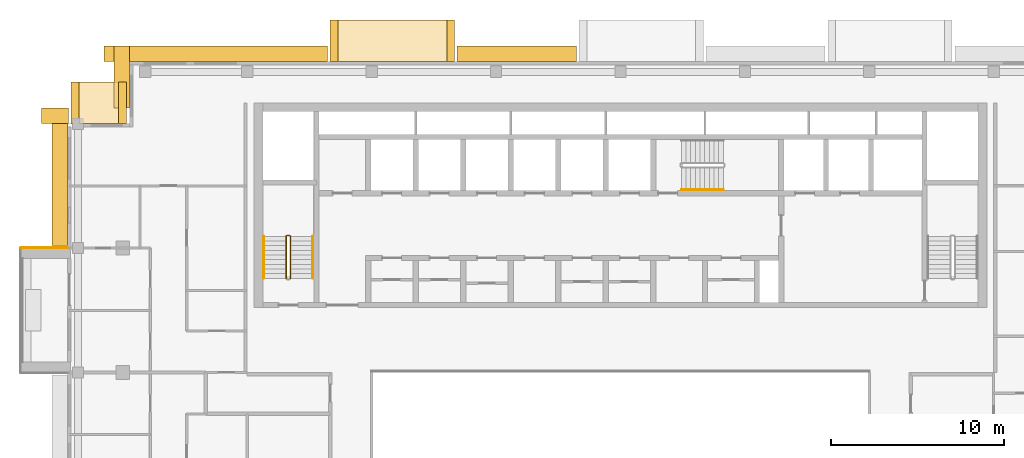
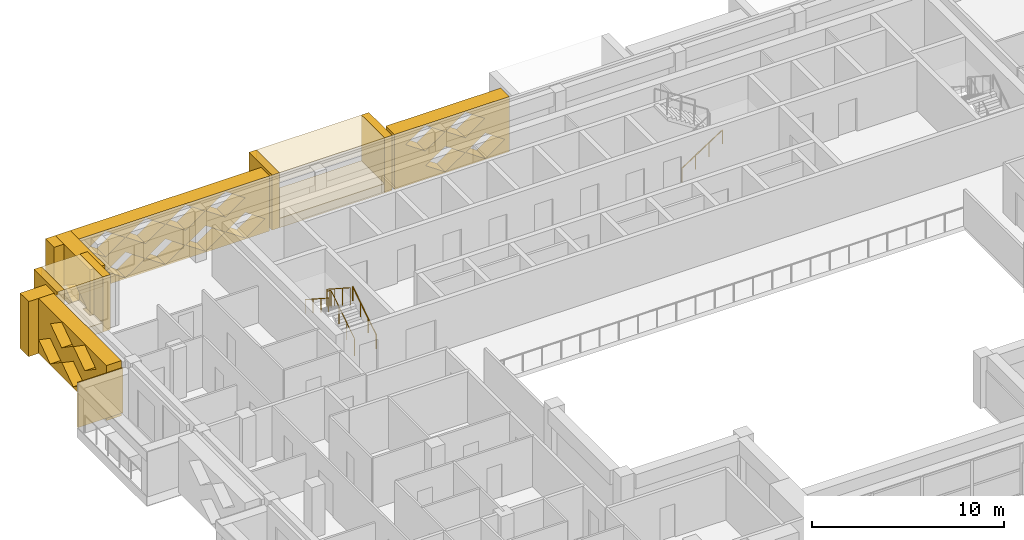
# One storey, part 17 of 19: 14 coverings, 4 railings.
"""IFC4 building model written with IfcOpenShell, lengths in metres."""

from ifc_helpers import new_model, si_unit, direction, frame, origin, origin_2d, place, context, subcontext, project, spatial, polyline, circle, outline, extrude, material, layer, layer_set, type_object, element, save


model = new_model("IFC4")

# Units and contexts
model_context = context("Model", 3, precision=1e-05, world=origin(), true_north=direction((0.0, 1.0)))
body_context = subcontext(model_context, "Body", "Model", "MODEL_VIEW")
ifc_project = project(units=[si_unit("LENGTHUNIT", "METRE"), si_unit("AREAUNIT", "SQUARE_METRE"), si_unit("VOLUMEUNIT", "CUBIC_METRE"), si_unit("PLANEANGLEUNIT", "RADIAN"), si_unit("MASSUNIT", "GRAM", prefix="KILO")], contexts=[model_context])

# Site, building, storey
site_placement = place(None, origin())
site = spatial("IfcSite", under=ifc_project, at=site_placement, CompositionType="ELEMENT")
building_placement = place(site_placement, origin())
building = spatial("IfcBuilding", under=site, at=building_placement, Name="Saffron Iwan Residences", CompositionType="ELEMENT")
storey_placement = place(building_placement, frame((0.0, 0.0, 246.5)))
storey = spatial("IfcBuildingStorey", under=building, at=storey_placement, Name="L66", CompositionType="ELEMENT", Elevation=246.5)

# Coverings
ifc_material_1 = material(Name="Precast concrete C40/50 white painted", Category="concrete")
ifc_layer = layer(ifc_material_1, 0.050048828125)
ifc_layer_set = layer_set([ifc_layer], Name="Precast concrete C40/50 white painted")
covering_type_1 = type_object("IfcCoveringType", Name="FRAME SKIN PRECAST WHITE 50", PredefinedType="CLADDING", material=ifc_layer_set)
covering_1_placement = place(storey_placement, origin())
element("IfcCovering", 1, at=covering_1_placement, inside=storey, type_object=covering_type_1, Name="Frame skin fin L66 F8-0a", PredefinedType="CLADDING", context=body_context, shape_type="SweptSolid", body=[
    extrude(outline(polyline([(15.699951171875, 69.64990234375), (15.699951171875, 69.60009765625), (18.39990234375, 69.60009765625), (18.39990234375, 69.64990234375), (15.699951171875, 69.64990234375)])), origin(), (0.0, 0.0, 1.0), 2.85009765625),
])
ifc_material_2 = material(Name="Precast concrete C40/50", Category="concrete")
covering_type_2 = type_object("IfcCoveringType", Name="OUTER SKIN LATTICE SCREEN", PredefinedType="CLADDING", material=ifc_material_2)
covering_2_placement = place(storey_placement, frame((47.85009765625, 80.39990234375, -0.280029296875), z_axis=(0.0, 1.0, 0.0), x_axis=(-1.0, 0.0, 0.0)))
element("IfcCovering", 2, at=covering_2_placement, inside=storey, type_object=covering_type_2, Name="OUTER SKIN lattice screen L66 F5.2", PredefinedType="CLADDING", context=body_context, shape_type="SweptSolid", body=[
    extrude(outline(polyline([(0.0, 0.0), (6.89990234375, 0.0), (6.89990234375, 3.5), (0.0, 3.5), (0.0, 0.0)]), holes=[polyline([(0.27001953125, 0.875), (1.449951171875, 0.06005859375), (2.6298828125, 0.875), (1.449951171875, 1.68994140625), (0.27001953125, 0.875)]), polyline([(2.669921875, 0.875), (3.85009765625, 0.06005859375), (5.030029296875, 0.875), (3.85009765625, 1.68994140625), (2.669921875, 0.875)]), polyline([(1.469970703125, 2.625), (2.64990234375, 1.81005859375), (3.830078125, 2.625), (2.64990234375, 3.43994140625), (1.469970703125, 2.625)]), polyline([(3.8701171875, 2.625), (5.050048828125, 1.81005859375), (6.22998046875, 2.625), (5.050048828125, 3.43994140625), (3.8701171875, 2.625)])]), origin(), (0.0, 0.0, 1.0), 0.900146484375),
])
covering_3_placement = place(storey_placement, frame((33.449951171875, 80.39990234375, -0.280029296875), z_axis=(0.0, 1.0, 0.0), x_axis=(-1.0, 0.0, 0.0)))
element("IfcCovering", 3, at=covering_3_placement, inside=storey, type_object=covering_type_2, Name="OUTER SKIN lattice screen L66 F5.3", PredefinedType="CLADDING", context=body_context, shape_type="SweptSolid", body=[
    extrude(outline(polyline([(0.0, 0.0), (12.949951171875, 0.0), (12.949951171875, 3.5), (0.0, 3.5), (0.0, 0.0)]), holes=[polyline([(0.27001953125, 0.875), (1.449951171875, 0.06005859375), (2.6298828125, 0.875), (1.449951171875, 1.68994140625), (0.27001953125, 0.875)]), polyline([(2.669921875, 0.875), (3.85009765625, 0.06005859375), (5.030029296875, 0.875), (3.85009765625, 1.68994140625), (2.669921875, 0.875)]), polyline([(5.070068359375, 0.875), (6.25, 0.06005859375), (7.429931640625, 0.875), (6.25, 1.68994140625), (5.070068359375, 0.875)]), polyline([(7.469970703125, 0.875), (8.64990234375, 0.06005859375), (9.830078125, 0.875), (8.64990234375, 1.68994140625), (7.469970703125, 0.875)]), polyline([(9.8701171875, 0.875), (11.050048828125, 0.06005859375), (12.22998046875, 0.875), (11.050048828125, 1.68994140625), (9.8701171875, 0.875)]), polyline([(1.469970703125, 2.625), (2.64990234375, 1.81005859375), (3.830078125, 2.625), (2.64990234375, 3.43994140625), (1.469970703125, 2.625)]), polyline([(3.8701171875, 2.625), (5.050048828125, 1.81005859375), (6.22998046875, 2.625), (5.050048828125, 3.43994140625), (3.8701171875, 2.625)]), polyline([(6.27001953125, 2.625), (7.449951171875, 1.81005859375), (8.6298828125, 2.625), (7.449951171875, 3.43994140625), (6.27001953125, 2.625)]), polyline([(8.669921875, 2.625), (9.85009765625, 1.81005859375), (11.030029296875, 2.625), (9.85009765625, 3.43994140625), (8.669921875, 2.625)])]), origin(), (0.0, 0.0, 1.0), 0.900146484375),
])
covering_4_placement = place(storey_placement, frame((22.0, 81.300048828125, -0.280029296875), z_axis=(-1.0, 0.0, 0.0), x_axis=(0.0, -1.0, 0.0)))
element("IfcCovering", 4, at=covering_4_placement, inside=storey, type_object=covering_type_2, Name="OUTER SKIN lattice screen L66 F6.0", PredefinedType="CLADDING", context=body_context, shape_type="SweptSolid", body=[
    extrude(outline(polyline([(0.0, 0.0), (3.60009765625, 0.0), (3.60009765625, 3.5), (0.0, 3.5), (0.0, 0.0)]), holes=[polyline([(0.919921875, 0.875), (2.10009765625, 0.06005859375), (3.280029296875, 0.875), (2.10009765625, 1.68994140625), (0.919921875, 0.875)])]), origin(), (0.0, 0.0, 1.0), 0.89990234375),
])
covering_5_placement = place(storey_placement, frame((18.449951171875, 76.800048828125, -0.280029296875), z_axis=(0.0, 1.0, 0.0), x_axis=(-1.0, 0.0, 0.0)))
element("IfcCovering", 5, at=covering_5_placement, inside=storey, type_object=covering_type_2, Name="OUTER SKIN lattice screen L66 F7.0", PredefinedType="CLADDING", context=body_context, shape_type="SweptSolid", body=[
    extrude(outline(polyline([(0.0, 0.0), (1.550048828125, 0.0), (1.550048828125, 3.5), (0.0, 3.5), (0.0, 0.0)])), origin(), (0.0, 0.0, 1.0), 0.89990234375),
])
covering_6_placement = place(storey_placement, frame((18.39990234375, 77.699951171875, -0.280029296875), z_axis=(-1.0, 0.0, 0.0), x_axis=(0.0, -1.0, 0.0)))
element("IfcCovering", 6, at=covering_6_placement, inside=storey, type_object=covering_type_2, Name="OUTER SKIN lattice screen L66 F8.0", PredefinedType="CLADDING", context=body_context, shape_type="SweptSolid", body=[
    extrude(outline(polyline([(0.0, 0.0), (7.949951171875, 0.0), (7.949951171875, 3.5), (0.0, 3.5), (0.0, 0.0)]), holes=[polyline([(0.919921875, 0.875), (2.10009765625, 0.06005859375), (3.280029296875, 0.875), (2.10009765625, 1.68994140625), (0.919921875, 0.875)]), polyline([(3.320068359375, 0.875), (4.5, 0.06005859375), (5.679931640625, 0.875), (4.5, 1.68994140625), (3.320068359375, 0.875)]), polyline([(2.1201171875, 2.625), (3.300048828125, 1.81005859375), (4.47998046875, 2.625), (3.300048828125, 3.43994140625), (2.1201171875, 2.625)]), polyline([(4.52001953125, 2.625), (5.699951171875, 1.81005859375), (6.8798828125, 2.625), (5.699951171875, 3.43994140625), (4.52001953125, 2.625)])]), origin(), (0.0, 0.0, 1.0), 0.89990234375),
])

# Railings
ifc_material_3 = material(Name="Steel S355", Category="steel")
railing_type_1 = type_object("IfcRailingType", Name="Stair guard 1100", PredefinedType="GUARDRAIL", material=ifc_material_3)
railing_1_placement = place(storey_placement, frame((31.300048828125, 67.85009765625, 0.175048828125)))
element("IfcRailing", 7, at=railing_1_placement, inside=storey, type_object=railing_type_1, Name="L66 ST-W stair guard 1", PredefinedType="GUARDRAIL", context=body_context, shape_type="SweptSolid", body=[
    extrude(circle(Radius=0.02392578125, at=origin_2d()), frame((0.0, 0.0, 1.076171875), z_axis=(0.0, 0.839153699163, 0.543894354798), x_axis=(-1.0, 0.0, 0.0)), (0.0, 0.0, 1.0), 2.895751953125),
    extrude(circle(Radius=0.02392578125, at=origin_2d()), frame((0.0, 2.429931640625, 2.65087890625), z_axis=(-0.707106781187, 0.707106781187, 0.0), x_axis=(-0.707106781187, -0.707106781187, 0.0)), (0.0, 0.0, 1.0), 0.07080078125),
    extrude(circle(Radius=0.02392578125, at=origin_2d()), frame((-0.050048828125, 2.47998046875, 2.65087890625), z_axis=(-1.0, 0.0, 0.0), x_axis=(0.0, -1.0, 0.0)), (0.0, 0.0, 1.0), 0.14990234375),
    extrude(circle(Radius=0.02392578125, at=origin_2d()), frame((-0.199951171875, 2.47998046875, 2.65087890625), z_axis=(-0.265065253269, -0.265065253269, 0.927081885822), x_axis=(0.707106781187, -0.707106781187, 0.0)), (0.0, 0.0, 1.0), 0.188720703125),
    extrude(circle(Radius=0.02392578125, at=origin_2d()), frame((-0.25, 2.429931640625, 2.826171875), z_axis=(0.0, -0.839153699163, 0.543894354798), x_axis=(1.0, 0.0, 0.0)), (0.0, 0.0, 1.0), 2.895751953125),
    extrude(circle(Radius=0.02099609375, at=origin_2d()), origin(), (0.0, 0.0, 1.0), 1.052001953125),
    extrude(circle(Radius=0.02099609375, at=origin_2d()), frame((0.0, 0.81005859375, 0.52490234375)), (0.0, 0.0, 1.0), 1.052001953125),
    extrude(circle(Radius=0.02099609375, at=origin_2d()), frame((0.0, 1.619873046875, 1.050048828125)), (0.0, 0.0, 1.0), 1.052001953125),
    extrude(circle(Radius=0.02099609375, at=origin_2d()), frame((0.0, 2.429931640625, 1.574951171875)), (0.0, 0.0, 1.0), 1.052001953125),
    extrude(circle(Radius=0.02099609375, at=origin_2d()), frame((-0.050048828125, 2.47998046875, 1.574951171875)), (0.0, 0.0, 1.0), 1.052001953125),
    extrude(circle(Radius=0.02099609375, at=origin_2d()), frame((-0.199951171875, 2.47998046875, 1.574951171875)), (0.0, 0.0, 1.0), 1.052001953125),
    extrude(circle(Radius=0.02099609375, at=origin_2d()), frame((-0.25, 2.429931640625, 1.75)), (0.0, 0.0, 1.0), 1.052001953125),
    extrude(circle(Radius=0.02099609375, at=origin_2d()), frame((-0.25, 1.619873046875, 2.27490234375)), (0.0, 0.0, 1.0), 1.052001953125),
    extrude(circle(Radius=0.02099609375, at=origin_2d()), frame((-0.25, 0.81005859375, 2.800048828125)), (0.0, 0.0, 1.0), 1.052001953125),
    extrude(circle(Radius=0.02099609375, at=origin_2d()), frame((-0.25, 0.0, 3.324951171875)), (0.0, 0.0, 1.0), 1.052001953125),
])
ifc_material_4 = material(Name="Stainless steel 316", Category="steel")
railing_type_2 = type_object("IfcRailingType", Name="Stair handrail 900", PredefinedType="HANDRAIL", material=ifc_material_4)
railing_2_placement = place(storey_placement, frame((32.60009765625, 67.85009765625, 0.175048828125)))
element("IfcRailing", 8, at=railing_2_placement, inside=storey, type_object=railing_type_2, Name="L66 ST-W stair handrail 1", PredefinedType="HANDRAIL", context=body_context, shape_type="SweptSolid", body=[
    extrude(circle(Radius=0.02392578125, at=origin_2d()), frame((0.0, 0.0, 0.8759765625), z_axis=(0.0, 0.839153699163, 0.543894354798), x_axis=(-1.0, 0.0, 0.0)), (0.0, 0.0, 1.0), 2.895751953125),
    extrude(circle(Radius=0.02099609375, at=origin_2d()), origin(), (0.0, 0.0, 1.0), 0.851806640625),
    extrude(circle(Radius=0.02099609375, at=origin_2d()), frame((0.0, 0.81005859375, 0.52490234375)), (0.0, 0.0, 1.0), 0.851806640625),
    extrude(circle(Radius=0.02099609375, at=origin_2d()), frame((0.0, 1.619873046875, 1.050048828125)), (0.0, 0.0, 1.0), 0.851806640625),
    extrude(circle(Radius=0.02099609375, at=origin_2d()), frame((0.0, 2.429931640625, 1.574951171875)), (0.0, 0.0, 1.0), 0.851806640625),
])
railing_3_placement = place(storey_placement, frame((29.75, 70.280029296875, 1.925048828125)))
element("IfcRailing", 9, at=railing_3_placement, inside=storey, type_object=railing_type_2, Name="L66 ST-W stair handrail 2", PredefinedType="HANDRAIL", context=body_context, shape_type="SweptSolid", body=[
    extrude(circle(Radius=0.02392578125, at=origin_2d()), frame((0.0, 0.0, 0.8759765625), z_axis=(0.0, -0.839153699163, 0.543894354798), x_axis=(1.0, 0.0, 0.0)), (0.0, 0.0, 1.0), 2.895751953125),
    extrude(circle(Radius=0.02099609375, at=origin_2d()), origin(), (0.0, 0.0, 1.0), 0.851806640625),
    extrude(circle(Radius=0.02099609375, at=origin_2d()), frame((0.0, -0.81005859375, 0.52490234375)), (0.0, 0.0, 1.0), 0.851806640625),
    extrude(circle(Radius=0.02099609375, at=origin_2d()), frame((0.0, -1.619873046875, 1.050048828125)), (0.0, 0.0, 1.0), 0.851806640625),
    extrude(circle(Radius=0.02099609375, at=origin_2d()), frame((0.0, -2.429931640625, 1.574951171875)), (0.0, 0.0, 1.0), 0.851806640625),
])
railing_4_placement = place(storey_placement, frame((53.925048828125, 72.97509765625, 0.175048828125)))
element("IfcRailing", 10, at=railing_4_placement, inside=storey, type_object=railing_type_2, Name="L66 ST-C stair handrail 1", PredefinedType="HANDRAIL", context=body_context, shape_type="SweptSolid", body=[
    extrude(circle(Radius=0.02392578125, at=origin_2d()), frame((0.0, 0.0, 0.8759765625), z_axis=(0.839153699163, 0.0, 0.543894354798), x_axis=(0.0, 1.0, 0.0)), (0.0, 0.0, 1.0), 2.895751953125),
    extrude(circle(Radius=0.02099609375, at=origin_2d()), origin(), (0.0, 0.0, 1.0), 0.851806640625),
    extrude(circle(Radius=0.02099609375, at=origin_2d()), frame((0.81005859375, 0.0, 0.52490234375)), (0.0, 0.0, 1.0), 0.851806640625),
    extrude(circle(Radius=0.02099609375, at=origin_2d()), frame((1.619873046875, 0.0, 1.050048828125)), (0.0, 0.0, 1.0), 0.851806640625),
    extrude(circle(Radius=0.02099609375, at=origin_2d()), frame((2.429931640625, 0.0, 1.574951171875)), (0.0, 0.0, 1.0), 0.851806640625),
])

# Coverings
covering_type_3 = type_object("IfcCoveringType", Name="WHITE SUN FRAME PRECAST", PredefinedType="CLADDING", material=ifc_material_1)
for number, where, z_axis, x_axis, name in (
    (11, (40.800048828125, 80.39990234375, -0.280029296875), (0.0, 1.0, 0.0), (-1.0, 0.0, 0.0), "Sun frame L66 F5 38.0a"),
    (12, (34.050048828125, 80.39990234375, -0.280029296875), (0.0, 1.0, 0.0), (-1.0, 0.0, 0.0), "Sun frame L66 F5 38.0b"),
):
    element("IfcCovering", number, at=place(storey_placement, frame(where, z_axis=z_axis, x_axis=x_axis)), inside=storey, type_object=covering_type_3, Name=name, PredefinedType="CLADDING", context=body_context, shape_type="SweptSolid", body=[
        extrude(outline(polyline([(0.0, 0.0), (0.449951171875, 0.0), (0.449951171875, 3.5), (0.0, 3.5), (0.0, 0.0)])), origin(), (0.0, 0.0, 1.0), 2.400146484375),
    ])
for number, where, z_axis, x_axis, name in (
    (13, (40.35009765625, 80.39990234375, 2.6201171875), (0.0, 1.0, 0.0), (-1.0, 0.0, 0.0), "Sun frame L66 F5 38.0h"),
    (14, (40.35009765625, 80.39990234375, -0.280029296875), (0.0, 1.0, 0.0), (-1.0, 0.0, 0.0), "Sun frame L66 F5 38.0s"),
):
    element("IfcCovering", number, at=place(storey_placement, frame(where, z_axis=z_axis, x_axis=x_axis)), inside=storey, type_object=covering_type_3, Name=name, PredefinedType="CLADDING", context=body_context, shape_type="SweptSolid", body=[
        extrude(outline(polyline([(0.0, 0.0), (6.300048828125, 0.0), (6.300048828125, 0.60009765625), (0.0, 0.60009765625), (0.0, 0.0)])), origin(), (0.0, 0.0, 1.0), 2.400146484375),
    ])
for number, where, z_axis, x_axis, name in (
    (15, (21.800048828125, 76.800048828125, -0.280029296875), (0.0, 1.0, 0.0), (-1.0, 0.0, 0.0), "Sun frame L66 F7 0.2a"),
    (16, (19.050048828125, 76.800048828125, -0.280029296875), (0.0, 1.0, 0.0), (-1.0, 0.0, 0.0), "Sun frame L66 F7 0.2b"),
):
    element("IfcCovering", number, at=place(storey_placement, frame(where, z_axis=z_axis, x_axis=x_axis)), inside=storey, type_object=covering_type_3, Name=name, PredefinedType="CLADDING", context=body_context, shape_type="SweptSolid", body=[
        extrude(outline(polyline([(0.0, 0.0), (0.449951171875, 0.0), (0.449951171875, 3.5), (0.0, 3.5), (0.0, 0.0)])), origin(), (0.0, 0.0, 1.0), 2.39990234375),
    ])
for number, where, z_axis, x_axis, name in (
    (17, (21.35009765625, 76.800048828125, 2.6201171875), (0.0, 1.0, 0.0), (-1.0, 0.0, 0.0), "Sun frame L66 F7 0.2h"),
    (18, (21.35009765625, 76.800048828125, -0.280029296875), (0.0, 1.0, 0.0), (-1.0, 0.0, 0.0), "Sun frame L66 F7 0.2s"),
):
    element("IfcCovering", number, at=place(storey_placement, frame(where, z_axis=z_axis, x_axis=x_axis)), inside=storey, type_object=covering_type_3, Name=name, PredefinedType="CLADDING", context=body_context, shape_type="SweptSolid", body=[
        extrude(outline(polyline([(0.0, 0.0), (2.300048828125, 0.0), (2.300048828125, 0.60009765625), (0.0, 0.60009765625), (0.0, 0.0)])), origin(), (0.0, 0.0, 1.0), 2.39990234375),
    ])

save(model, "model.ifc")
